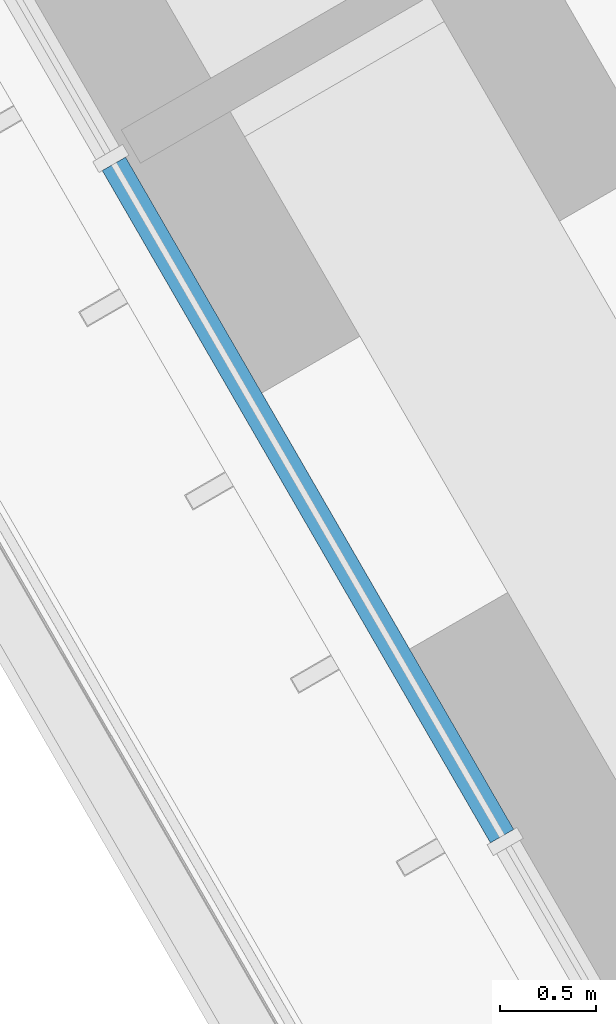
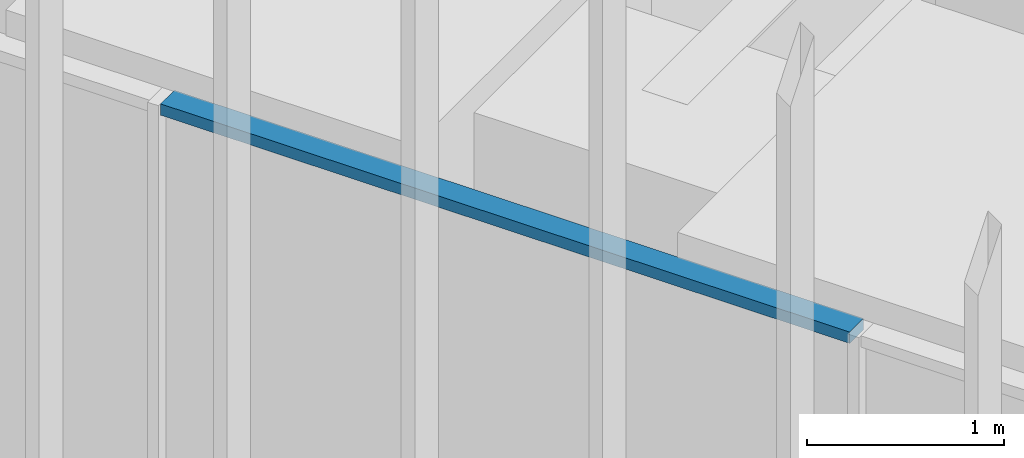
# One storey, part 43 of 238: 1 member, 1 element without a shape of its own.
"""IFC4 building model written with IfcOpenShell, lengths in metres."""

from ifc_helpers import new_model, si_unit, direction, frame, origin, origin_2d, place, context, subcontext, project, spatial, rectangle, extrude, material, material_profile, profile_set, type_object, element, aggregate, save


model = new_model("IFC4")

# Units and contexts
model_context = context("Model", 3, precision=1e-05, world=origin(), true_north=direction((0.0, 1.0)))
body_context = subcontext(model_context, "Body", "Model", "MODEL_VIEW")
ifc_project = project(units=[si_unit("LENGTHUNIT", "METRE"), si_unit("AREAUNIT", "SQUARE_METRE"), si_unit("VOLUMEUNIT", "CUBIC_METRE"), si_unit("PLANEANGLEUNIT", "RADIAN"), si_unit("MASSUNIT", "GRAM", prefix="KILO")], contexts=[model_context])

# Site, building, storey
site_placement = place(None, origin())
site = spatial("IfcSite", under=ifc_project, at=site_placement, CompositionType="ELEMENT")
building_placement = place(site_placement, origin())
building = spatial("IfcBuilding", under=site, at=building_placement, Name="Sandreach Pilgrim Tower", CompositionType="ELEMENT")
storey_placement = place(building_placement, frame((0.0, 0.0, 96.800048828125)))
storey = spatial("IfcBuildingStorey", under=building, at=storey_placement, Name="L23", CompositionType="ELEMENT", Elevation=96.800048828125)

# Curtain wall, member
ifc_material_1 = material(Name="Aluminium framed curtain wall", Category="aluminium")
curtain_wall_type = type_object("IfcCurtainWallType", Name="Hotel tower curtain wall", PredefinedType="NOTDEFINED", material=ifc_material_1)
curtain_wall_placement = place(storey_placement, origin())
curtain_wall = element("IfcCurtainWall", 1, at=curtain_wall_placement, inside=storey, type_object=curtain_wall_type, Name="CW-2 L23 SW", PredefinedType="NOTDEFINED")
ifc_material_2 = material(Name="Aluminium extrusion", Category="aluminium")
ifc_material_profile = material_profile(ifc_material_2, rectangle(XDim=0.139892578125, YDim=0.070068359375, at=origin_2d()), Name="CW-2T 140X70")
ifc_profile_set = profile_set([ifc_material_profile], Name="Aluminium extrusion")
member_type = type_object("IfcMemberType", Name="CW-2 transom", PredefinedType="USERDEFINED", material=ifc_profile_set)
member_placement = place(storey_placement, frame((-20.523193359375, -9.4404296875, 3.60498046875), z_axis=(-0.499997818338, 0.866026663364, 0.0), x_axis=(-0.866026663364, -0.499997818338, 0.0)))
member = element("IfcMember", 2, at=member_placement, type_object=member_type, Name="CW-2 head transom 6", ObjectType="TRANSOM", PredefinedType="USERDEFINED", context=body_context, shape_type="SweptSolid", body=[
    extrude(rectangle(XDim=0.139892578125, YDim=0.070068359375, at=origin_2d()), origin(), (0.0, 0.0, 1.0), 4.0419921875),
])
aggregate(curtain_wall, [member])

save(model, "model.ifc")
